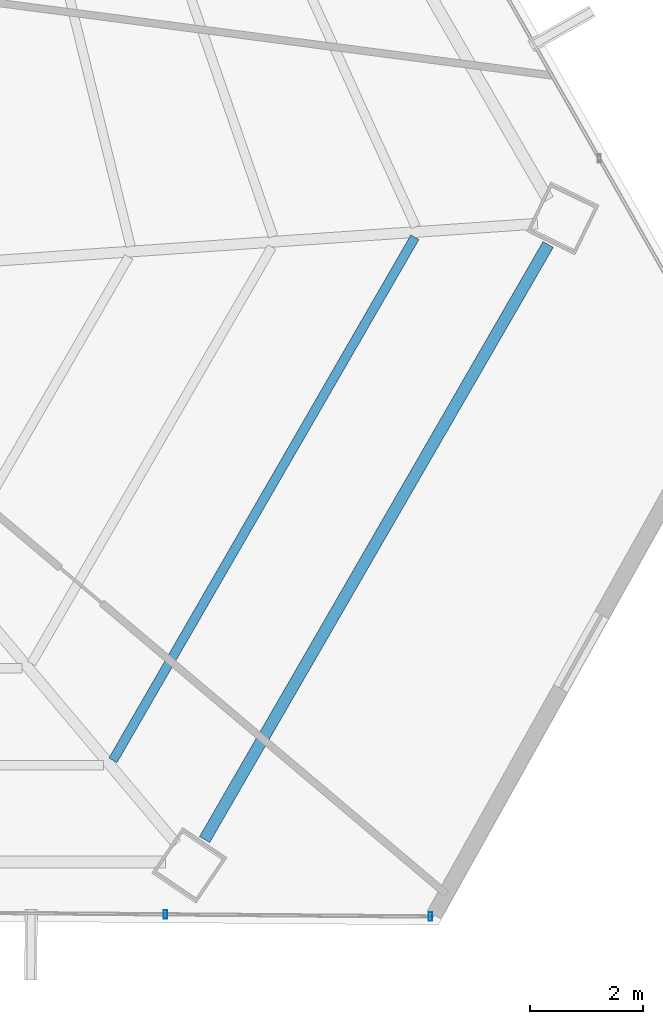
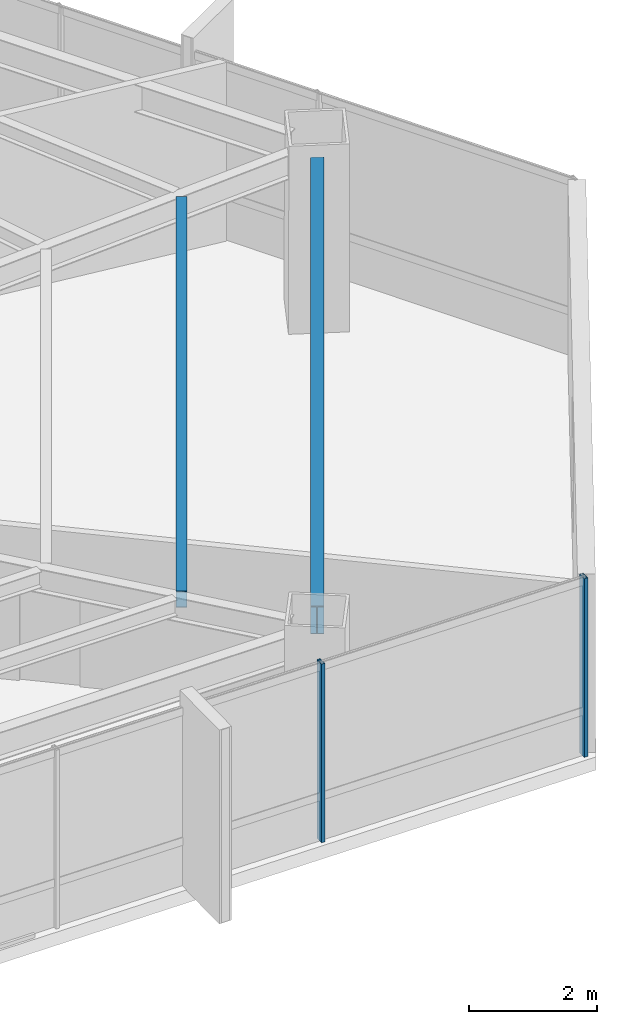
# One storey, part 19 of 39: 2 beams, 2 members, 1 element without a shape of its own.
"""IFC4 building model written with IfcOpenShell, lengths in metres."""

from ifc_helpers import new_model, si_unit, direction, frame, origin, origin_2d, place, context, subcontext, project, spatial, hollow_rectangle, i_section, extrude, source, transform, mapped, material, material_profile, profile_set, type_object, type_shapes, element, aggregate, save


model = new_model("IFC4")

# Units and contexts
model_context = context("Model", 3, precision=1e-05, world=origin(), true_north=direction((0.0, 1.0)))
body_context = subcontext(model_context, "Body", "Model", "MODEL_VIEW")
ifc_project = project(units=[si_unit("LENGTHUNIT", "METRE"), si_unit("AREAUNIT", "SQUARE_METRE"), si_unit("VOLUMEUNIT", "CUBIC_METRE"), si_unit("PLANEANGLEUNIT", "RADIAN"), si_unit("MASSUNIT", "GRAM", prefix="KILO")], contexts=[model_context])

# Site, building, storey
site_placement = place(None, origin())
site = spatial("IfcSite", under=ifc_project, at=site_placement, CompositionType="ELEMENT")
building_placement = place(site_placement, origin())
building = spatial("IfcBuilding", under=site, at=building_placement, Name="Caelisora Broadcast Tower", CompositionType="ELEMENT")
storey_placement = place(building_placement, frame((0.0, 0.0, 139.10009765625)))
storey = spatial("IfcBuildingStorey", under=building, at=storey_placement, Name="L36", CompositionType="ELEMENT", Elevation=139.10009765625)

# Beams
ifc_material_1 = material(Name="Steel Grade 350 (AS/NZS 3679.1)", Category="steel")
ifc_material_profile_1 = material_profile(ifc_material_1, i_section(OverallWidth=0.208984375, OverallDepth=0.532958984375, WebThickness=0.01025390625, FlangeThickness=0.015625, at=origin_2d()), Name="Steel Grade 350 (AS/NZS 3679.1)")
ifc_profile_set_1 = profile_set([ifc_material_profile_1], Name="Steel Grade 350 (AS/NZS 3679.1)")
beam_type_1 = type_object("IfcBeamType", Name="PG05", PredefinedType="BEAM", material=ifc_profile_set_1)
shared_shape_1 = source(origin(), body_context, "Body", "SweptSolid", [
    extrude(i_section(OverallWidth=0.208984375, OverallDepth=0.532958984375, WebThickness=0.01025390625, FlangeThickness=0.015625, at=origin_2d()), origin(), (0.0, 0.0, 1.0), 12.20166015625),
])
type_shapes(beam_type_1, [shared_shape_1])
beam_1_placement = place(storey_placement, frame((54.4130859375, 7.479248046875, 3.13330078125), z_axis=(0.50000188557, 0.866024315148, 0.0), x_axis=(-0.866024315148, 0.50000188557, 0.0)))
element("IfcBeam", 1, at=beam_1_placement, inside=storey, type_object=beam_type_1, Name="L36 beam PG05", PredefinedType="BEAM", context=body_context, shape_type="MappedRepresentation", body=[
    mapped(shared_shape_1, transform((0.0, 0.0, 0.0), scale=1.0)),
])
ifc_material_profile_2 = material_profile(ifc_material_1, i_section(OverallWidth=0.166015625, OverallDepth=0.30712890625, WebThickness=0.006591796875, FlangeThickness=0.01171875, at=origin_2d()), Name="Steel Grade 350 (AS/NZS 3679.1)")
ifc_profile_set_2 = profile_set([ifc_material_profile_2], Name="Steel Grade 350 (AS/NZS 3679.1)")
beam_type_2 = type_object("IfcBeamType", Name="SB03", PredefinedType="JOIST", material=ifc_profile_set_2)
shared_shape_2 = source(origin(), body_context, "Body", "SweptSolid", [
    extrude(i_section(OverallWidth=0.166015625, OverallDepth=0.30712890625, WebThickness=0.006591796875, FlangeThickness=0.01171875, at=origin_2d()), origin(), (0.0, 0.0, 1.0), 10.723876953125),
])
type_shapes(beam_type_2, [shared_shape_2])
beam_2_placement = place(storey_placement, frame((52.785400390625, 8.885986328125, 3.246337890625), z_axis=(0.499983239866, 0.866035080036, 0.0), x_axis=(-0.866035080036, 0.499983239866, 0.0)))
element("IfcBeam", 2, at=beam_2_placement, inside=storey, type_object=beam_type_2, Name="L36 beam SB03", PredefinedType="JOIST", context=body_context, shape_type="MappedRepresentation", body=[
    mapped(shared_shape_2, transform((0.0, 0.0, 0.0), scale=1.0)),
])

# Curtain wall, members
ifc_material_2 = material(Name="Unitised Aluminium and Low-E Glass Curtain Wall", Category="glass")
curtain_wall_type = type_object("IfcCurtainWallType", Name="CW-Z3", PredefinedType="NOTDEFINED", material=ifc_material_2)
curtain_wall_placement = place(storey_placement, origin())
curtain_wall = element("IfcCurtainWall", 3, at=curtain_wall_placement, inside=storey, type_object=curtain_wall_type, Name="L36 curtain wall CW-Z3", PredefinedType="NOTDEFINED")
ifc_material_3 = material(Name="Aluminium 6063-T6 Anodised Terracotta Bronze", Category="aluminium")
ifc_material_profile_3 = material_profile(ifc_material_3, hollow_rectangle(XDim=0.06005859375, YDim=0.14990234375, WallThickness=0.00341796875, at=origin_2d()), Name="Aluminium 6063-T6 Anodised Terracotta Bronze")
ifc_profile_set_3 = profile_set([ifc_material_profile_3], Name="Aluminium 6063-T6 Anodised Terracotta Bronze")
member_type = type_object("IfcMemberType", Name="CWM-03", PredefinedType="MULLION", material=ifc_profile_set_3)
shared_shape_3 = source(origin(), body_context, "Body", "SweptSolid", [
    extrude(hollow_rectangle(XDim=0.06005859375, YDim=0.14990234375, WallThickness=0.00341796875, at=origin_2d()), origin(), (0.0, 0.0, 1.0), 3.39990234375),
])
type_shapes(member_type, [shared_shape_3])
member_1_placement = place(storey_placement, frame((58.423095703125, 6.11328125, 0.0), z_axis=(0.0, 0.0, 1.0), x_axis=(1.0, 0.0, 0.0)))
member_1 = element("IfcMember", 4, at=member_1_placement, type_object=member_type, Name="L36-CW-B05 mullion #0", PredefinedType="MULLION", context=body_context, shape_type="MappedRepresentation", body=[
    mapped(shared_shape_3, transform((0.0, 0.0, 0.0), scale=1.0)),
])
member_2_placement = place(storey_placement, frame((53.7158203125, 6.15185546875, 0.0), z_axis=(0.0, 0.0, 1.0), x_axis=(1.0, 0.0, 0.0)))
member_2 = element("IfcMember", 5, at=member_2_placement, type_object=member_type, Name="L36-CW-B05 mullion #1", PredefinedType="MULLION", context=body_context, shape_type="MappedRepresentation", body=[
    mapped(shared_shape_3, transform((0.0, 0.0, 0.0), scale=1.0)),
])
aggregate(curtain_wall, [member_1, member_2])

save(model, "model.ifc")
